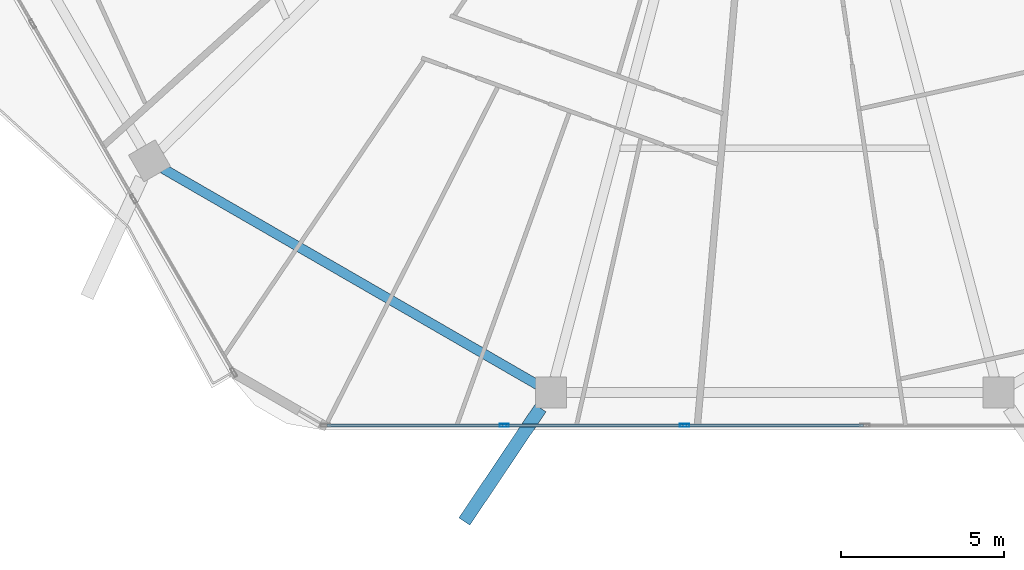
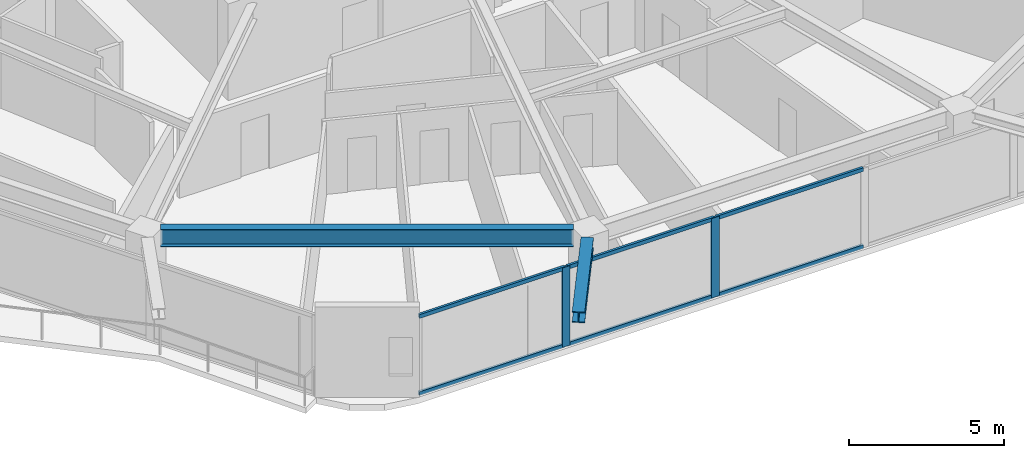
# One storey, part 3 of 26: 8 members, 2 beams, 1 element without a shape of its own.
"""IFC4 building model written with IfcOpenShell, lengths in metres."""

from ifc_helpers import new_model, si_unit, direction, frame, origin, origin_2d, place, context, subcontext, project, spatial, hollow_rectangle, i_section, extrude, material, material_profile, profile_set, type_object, element, aggregate, save


model = new_model("IFC4")

# Units and contexts
model_context = context("Model", 3, precision=1e-05, world=origin(), true_north=direction((0.0, 1.0)))
body_context = subcontext(model_context, "Body", "Model", "MODEL_VIEW")
ifc_project = project(units=[si_unit("LENGTHUNIT", "METRE"), si_unit("AREAUNIT", "SQUARE_METRE"), si_unit("VOLUMEUNIT", "CUBIC_METRE"), si_unit("PLANEANGLEUNIT", "RADIAN"), si_unit("MASSUNIT", "GRAM", prefix="KILO")], contexts=[model_context])

# Site, building, storey
site_placement = place(None, origin())
site = spatial("IfcSite", under=ifc_project, at=site_placement, CompositionType="ELEMENT")
building_placement = place(site_placement, origin())
building = spatial("IfcBuilding", under=site, at=building_placement, Name="Zuhravey Tower", CompositionType="ELEMENT")
storey_placement = place(building_placement, frame((0.0, 0.0, 203.60009765625)))
storey = spatial("IfcBuildingStorey", under=building, at=storey_placement, Name="L51", CompositionType="ELEMENT", Elevation=203.60009765625)

# Curtain wall, members
ifc_material_1 = material(Name="Thermally broken anodised aluminium", Category="aluminium")
curtain_wall_type = type_object("IfcCurtainWallType", Name="Zone 1-2 Residential Curtain Wall CW3", PredefinedType="NOTDEFINED", material=ifc_material_1)
curtain_wall_placement = place(storey_placement, origin())
curtain_wall = element("IfcCurtainWall", 1, at=curtain_wall_placement, inside=storey, type_object=curtain_wall_type, Name="L51 CW3 CW-L51-F5-1", PredefinedType="NOTDEFINED")
ifc_material_2 = material(Name="Anodised aluminium", Category="aluminium")
ifc_material_profile_1 = material_profile(ifc_material_2, hollow_rectangle(XDim=0.090087890625, YDim=0.284912109375, WallThickness=0.0048828125, at=origin_2d()), Name="ALU-RHS-90x285x5")
ifc_profile_set_1 = profile_set([ifc_material_profile_1], Name="Anodised aluminium")
member_type_1 = type_object("IfcMemberType", Name="Curtain-Wall Mullion 90x180", PredefinedType="MULLION", material=ifc_profile_set_1)
member_1_placement = place(storey_placement, frame((33.227783203125, 4.81689453125, 0.0), z_axis=(0.0, 0.0, 1.0), x_axis=(0.0, -1.0, 0.0)))
member_1 = element("IfcMember", 2, at=member_1_placement, type_object=member_type_1, Name="CW3 mullion 4", PredefinedType="MULLION", context=body_context, shape_type="SweptSolid", body=[
    extrude(hollow_rectangle(XDim=0.090087890625, YDim=0.284912109375, WallThickness=0.0048828125, at=origin_2d()), origin(), (0.0, 0.0, 1.0), 3.121826171875),
])
member_2_placement = place(storey_placement, frame((27.683349609375, 4.81689453125, 0.0), z_axis=(0.0, 0.0, 1.0), x_axis=(0.0, -1.0, 0.0)))
member_2 = element("IfcMember", 3, at=member_2_placement, type_object=member_type_1, Name="CW3 mullion 5", PredefinedType="MULLION", context=body_context, shape_type="SweptSolid", body=[
    extrude(hollow_rectangle(XDim=0.090087890625, YDim=0.284912109375, WallThickness=0.0048828125, at=origin_2d()), origin(), (0.0, 0.0, 1.0), 3.121826171875),
])
ifc_material_profile_2 = material_profile(ifc_material_2, hollow_rectangle(XDim=0.090087890625, YDim=0.14990234375, WallThickness=0.0048828125, at=origin_2d()), Name="ALU-RHS-90x150x5")
ifc_profile_set_2 = profile_set([ifc_material_profile_2], Name="Anodised aluminium")
member_type_2 = type_object("IfcMemberType", Name="Curtain-Wall Transom 90x150", PredefinedType="USERDEFINED", material=ifc_profile_set_2)
member_3_placement = place(storey_placement, frame((38.727294921875, 4.81689453125, 0.044921875), z_axis=(-1.0, 0.0, 0.0), x_axis=(0.0, -1.0, 0.0)))
member_3 = element("IfcMember", 4, at=member_3_placement, type_object=member_type_2, Name="CW3 transom 3.1", ObjectType="TRANSOM", PredefinedType="USERDEFINED", context=body_context, shape_type="SweptSolid", body=[
    extrude(hollow_rectangle(XDim=0.090087890625, YDim=0.14990234375, WallThickness=0.0048828125, at=origin_2d()), origin(), (0.0, 0.0, 1.0), 5.45458984375),
])
member_4_placement = place(storey_placement, frame((38.727294921875, 4.81689453125, 3.076904296875), z_axis=(-1.0, 0.0, 0.0), x_axis=(0.0, -1.0, 0.0)))
member_4 = element("IfcMember", 5, at=member_4_placement, type_object=member_type_2, Name="CW3 transom 3.2", ObjectType="TRANSOM", PredefinedType="USERDEFINED", context=body_context, shape_type="SweptSolid", body=[
    extrude(hollow_rectangle(XDim=0.090087890625, YDim=0.14990234375, WallThickness=0.0048828125, at=origin_2d()), origin(), (0.0, 0.0, 1.0), 5.45458984375),
])
member_5_placement = place(storey_placement, frame((33.182861328125, 4.81689453125, 0.044921875), z_axis=(-1.0, 0.0, 0.0), x_axis=(0.0, -1.0, 0.0)))
member_5 = element("IfcMember", 6, at=member_5_placement, type_object=member_type_2, Name="CW3 transom 4.1", ObjectType="TRANSOM", PredefinedType="USERDEFINED", context=body_context, shape_type="SweptSolid", body=[
    extrude(hollow_rectangle(XDim=0.090087890625, YDim=0.14990234375, WallThickness=0.0048828125, at=origin_2d()), origin(), (0.0, 0.0, 1.0), 5.45458984375),
])
member_6_placement = place(storey_placement, frame((33.182861328125, 4.81689453125, 3.076904296875), z_axis=(-1.0, 0.0, 0.0), x_axis=(0.0, -1.0, 0.0)))
member_6 = element("IfcMember", 7, at=member_6_placement, type_object=member_type_2, Name="CW3 transom 4.2", ObjectType="TRANSOM", PredefinedType="USERDEFINED", context=body_context, shape_type="SweptSolid", body=[
    extrude(hollow_rectangle(XDim=0.090087890625, YDim=0.14990234375, WallThickness=0.0048828125, at=origin_2d()), origin(), (0.0, 0.0, 1.0), 5.45458984375),
])
member_7_placement = place(storey_placement, frame((27.638427734375, 4.81689453125, 0.044921875), z_axis=(-1.0, 0.0, 0.0), x_axis=(0.0, -1.0, 0.0)))
member_7 = element("IfcMember", 8, at=member_7_placement, type_object=member_type_2, Name="CW3 transom 5.1", ObjectType="TRANSOM", PredefinedType="USERDEFINED", context=body_context, shape_type="SweptSolid", body=[
    extrude(hollow_rectangle(XDim=0.090087890625, YDim=0.14990234375, WallThickness=0.0048828125, at=origin_2d()), origin(), (0.0, 0.0, 1.0), 5.409423828125),
])
member_8_placement = place(storey_placement, frame((27.638427734375, 4.81689453125, 3.076904296875), z_axis=(-1.0, 0.0, 0.0), x_axis=(0.0, -1.0, 0.0)))
member_8 = element("IfcMember", 9, at=member_8_placement, type_object=member_type_2, Name="CW3 transom 5.2", ObjectType="TRANSOM", PredefinedType="USERDEFINED", context=body_context, shape_type="SweptSolid", body=[
    extrude(hollow_rectangle(XDim=0.090087890625, YDim=0.14990234375, WallThickness=0.0048828125, at=origin_2d()), origin(), (0.0, 0.0, 1.0), 5.409423828125),
])
aggregate(curtain_wall, [member_1, member_2, member_3, member_4, member_5, member_6, member_7, member_8])

# Beams
ifc_material_3 = material(Name="Steel SM460", Category="steel")
ifc_material_profile_3 = material_profile(ifc_material_3, i_section(OverallWidth=0.406982421875, OverallDepth=0.427978515625, WebThickness=0.02001953125, FlangeThickness=0.034912109375, at=origin_2d()), Name="H-428x407x20x35")
ifc_profile_set_3 = profile_set([ifc_material_profile_3], Name="Steel SM460")
beam_type_1 = type_object("IfcBeamType", Name="Exoskeleton Node Tie Beam H428x407", PredefinedType="BEAM", material=ifc_profile_set_3)
beam_1_placement = place(storey_placement, frame((28.796875, 5.3486328125, 3.3359375), z_axis=(-0.557552001488, -0.830142015342, 0.0), x_axis=(0.830142015342, -0.557552001488, 0.0)))
element("IfcBeam", 10, at=beam_1_placement, inside=storey, type_object=beam_type_1, Name="L51 Exoskeleton Node Tie NT1-09", PredefinedType="BEAM", context=body_context, shape_type="SweptSolid", body=[
    extrude(i_section(OverallWidth=0.406982421875, OverallDepth=0.427978515625, WebThickness=0.02001953125, FlangeThickness=0.034912109375, at=origin_2d()), origin(), (0.0, 0.0, 1.0), 4.203125),
])
ifc_material_4 = material(Name="Steel SM355", Category="steel")
ifc_material_profile_4 = material_profile(ifc_material_4, i_section(OverallWidth=0.300048828125, OverallDepth=0.679931640625, WebThickness=0.012939453125, FlangeThickness=0.02197265625, at=origin_2d()), Name="H-680x300x13x22")
ifc_profile_set_4 = profile_set([ifc_material_profile_4], Name="Steel SM355")
beam_type_2 = type_object("IfcBeamType", Name="Perimeter Ring Beam H680x300", PredefinedType="BEAM", material=ifc_profile_set_4)
beam_2_placement = place(storey_placement, frame((17.1884765625, 12.71435546875, 3.2099609375), z_axis=(0.866029041019, -0.499993700073, 0.0), x_axis=(0.499993700073, 0.866029041019, 0.0)))
element("IfcBeam", 11, at=beam_2_placement, inside=storey, type_object=beam_type_2, Name="L51 PB2 BM-L51-PB-08", PredefinedType="BEAM", context=body_context, shape_type="SweptSolid", body=[
    extrude(i_section(OverallWidth=0.300048828125, OverallDepth=0.679931640625, WebThickness=0.012939453125, FlangeThickness=0.02197265625, at=origin_2d()), origin(), (0.0, 0.0, 1.0), 13.297119140625),
])

save(model, "model.ifc")
